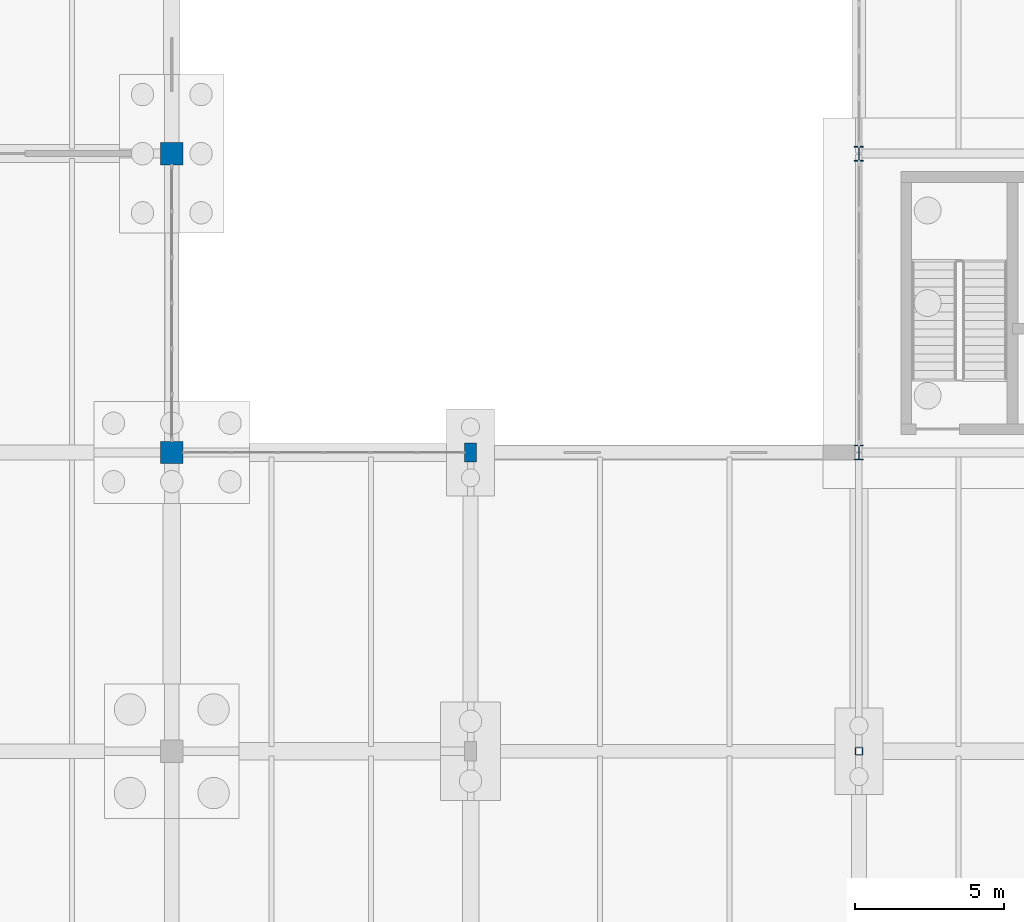
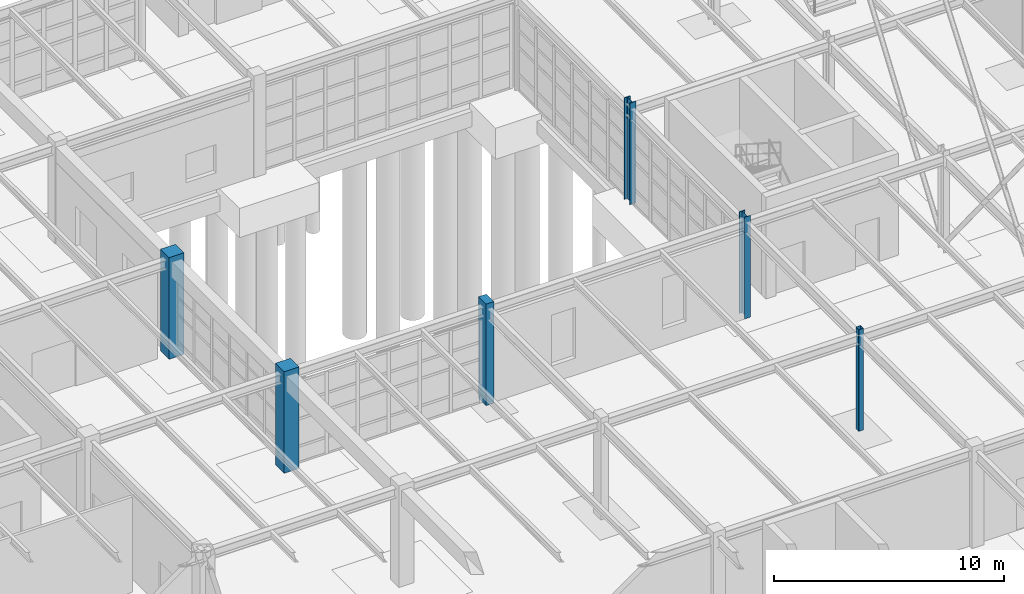
# One storey, part 13 of 145: 6 columns.
"""IFC4 building model written with IfcOpenShell, lengths in metres."""

import ifcopenshell
import ifcopenshell.guid

model = None  # the IFC model being written
_history = None  # IfcOwnerHistory: only IFC2X3 demands one
_inside = {}  # id of a spatial element -> (the spatial element, [elements in it])
_under = {}  # id of a project, library or spatial element -> (it, [spatial elements below it])
_declared = {}  # id of a project -> (the project, [libraries it declares])
_typed = {}  # id of a type object -> (the type object, [elements of that type])
_made_of = {}  # id of a material, layer set ... -> (it, [elements and type objects made of it])


def new_model(schema):
    """Start an empty IFC model of exactly this schema.

    Asked for "IFC4X3", IfcOpenShell would pick the latest addendum, in which some entities
    have other attributes; the version numbers below select the first issue.
    IFC2X3 requires an IfcOwnerHistory on every rooted entity: one is made here for all.
    """
    global model, _history
    if schema == "IFC4X3":
        model = ifcopenshell.file(schema_version=(4, 3, 0, 0))
    else:
        model = ifcopenshell.file(schema=schema)
    _inside.clear()
    _under.clear()
    _declared.clear()
    _typed.clear()
    _made_of.clear()
    _history = None
    if model.schema == "IFC2X3":
        org = make("IfcOrganization", Name="unknown")
        user = make(
            "IfcPersonAndOrganization",
            ThePerson=make("IfcPerson", FamilyName="unknown"),
            TheOrganization=org,
        )
        app = make(
            "IfcApplication",
            ApplicationDeveloper=org,
            Version="unknown",
            ApplicationFullName="unknown",
            ApplicationIdentifier="unknown",
        )
        _history = make(
            "IfcOwnerHistory",
            OwningUser=user,
            OwningApplication=app,
            ChangeAction="ADDED",
            CreationDate=0,
        )
    return model


def make(cls, **values):
    """One entity of the class cls with the attributes given. An attribute that is None is left unset."""
    return model.create_entity(
        cls, **{name: value for name, value in values.items() if value is not None}
    )


def rooted(cls, **values):
    """An entity with a GlobalId (a new one), such as an element, a storey or a relation."""
    return make(cls, GlobalId=ifcopenshell.guid.new(), OwnerHistory=_history, **values)


def si_unit(unit_type, name, prefix=None):
    """IfcSIUnit, for example si_unit("LENGTHUNIT", "METRE", prefix="MILLI")."""
    return make("IfcSIUnit", UnitType=unit_type, Prefix=prefix, Name=name)


def assignment(units):
    """IfcUnitAssignment: the units of a project."""
    return None if units is None else make("IfcUnitAssignment", Units=units)


def point(xyz):
    """IfcCartesianPoint."""
    return None if xyz is None else make("IfcCartesianPoint", Coordinates=xyz)


def direction(xyz):
    """IfcDirection."""
    return None if xyz is None else make("IfcDirection", DirectionRatios=xyz)


def frame(location, z_axis=None, x_axis=None):
    """IfcAxis2Placement3D, a coordinate frame: its origin and axes. An axis left out is left unset."""
    return make(
        "IfcAxis2Placement3D",
        Location=point(location),
        Axis=direction(z_axis),
        RefDirection=direction(x_axis),
    )


def frame_2d(location, x_axis=None):
    """IfcAxis2Placement2D, a coordinate frame in the plane: its origin and x axis."""
    return make(
        "IfcAxis2Placement2D", Location=point(location), RefDirection=direction(x_axis)
    )


def origin():
    """The frame at (0, 0, 0) with its axes left unset."""
    return frame((0.0, 0.0, 0.0))


def origin_2d():
    """The frame at (0, 0) in the plane with its x axis left unset."""
    return frame_2d((0.0, 0.0))


def place(relative_to, where):
    """IfcLocalPlacement: puts the frame where relative to a parent placement (None: the world)."""
    return make(
        "IfcLocalPlacement", PlacementRelTo=relative_to, RelativePlacement=where
    )


def context(
    kind, dimensions, precision=None, world=None, true_north=None, identifier=None
):
    """IfcGeometricRepresentationContext, for example the 3D "Model" context."""
    return make(
        "IfcGeometricRepresentationContext",
        ContextIdentifier=identifier,
        ContextType=kind,
        CoordinateSpaceDimension=dimensions,
        Precision=precision,
        WorldCoordinateSystem=world,
        TrueNorth=true_north,
    )


def subcontext(parent, identifier, kind, view, scale=None):
    """IfcGeometricRepresentationSubContext, for example "Body" below "Model"."""
    return make(
        "IfcGeometricRepresentationSubContext",
        ContextIdentifier=identifier,
        ContextType=kind,
        ParentContext=parent,
        TargetScale=scale,
        TargetView=view,
    )


def project(units=None, contexts=None):
    """IfcProject with its units and contexts."""
    return rooted(
        "IfcProject",
        Name="project",
        RepresentationContexts=contexts,
        UnitsInContext=assignment(units),
    )


def spatial(cls, under=None, at=None, **own):
    """A site, building, storey or space (cls), placed at a placement, below another one or the project."""
    s = rooted(cls, ObjectPlacement=at, **own)
    if under is not None:
        _under.setdefault(under.id(), (under, []))[1].append(s)
    return s


def profile(cls, at=None, kind="AREA", **sizes):
    """A parametric profile (cls). Its sizes go by their IFC names, for example OverallWidth=200.0."""
    return make(cls, ProfileType=kind, Position=at, **sizes)


def rectangle(**sizes):
    """IfcRectangleProfileDef."""
    return profile("IfcRectangleProfileDef", **sizes)


def hollow_rectangle(**sizes):
    """IfcRectangleHollowProfileDef."""
    return profile("IfcRectangleHollowProfileDef", **sizes)


def i_section(**sizes):
    """IfcIShapeProfileDef."""
    return profile("IfcIShapeProfileDef", **sizes)


def extrude(swept, where, along, depth):
    """IfcExtrudedAreaSolid: the profile swept, set in the frame where, extruded along a direction by depth."""
    return make(
        "IfcExtrudedAreaSolid",
        SweptArea=swept,
        Position=where,
        ExtrudedDirection=direction(along),
        Depth=depth,
    )


def shape(context_of_items, identifier, shape_type, items):
    """IfcShapeRepresentation: the items that make up one representation, for example the "Body"."""
    return make(
        "IfcShapeRepresentation",
        ContextOfItems=context_of_items,
        RepresentationIdentifier=identifier,
        RepresentationType=shape_type,
        Items=items,
    )


def material(Name=None, Category=None):
    """IfcMaterial."""
    return make("IfcMaterial", Name=Name, Category=Category)


def material_profile(
    of_material, cross_section, Name=None, Category=None, Priority=None
):
    """IfcMaterialProfile: a cross section and its material."""
    return make(
        "IfcMaterialProfile",
        Name=Name,
        Material=of_material,
        Profile=cross_section,
        Priority=Priority,
        Category=Category,
    )


def profile_set(profiles, Name=None, composite=None):
    """IfcMaterialProfileSet."""
    return make(
        "IfcMaterialProfileSet",
        Name=Name,
        MaterialProfiles=profiles,
        CompositeProfile=composite,
    )


def made_of(thing, what):
    """Note that an element or type object is made of a material, layer set ...; save() writes the relation."""
    if what is not None:
        _made_of.setdefault(what.id(), (what, []))[1].append(thing)
    return thing


def type_object(cls, material=None, **own):
    """A type object (cls), such as IfcWallType, which elements share."""
    return made_of(rooted(cls, **own), material)


def element(
    cls,
    number,
    at=None,
    inside=None,
    cuts=None,
    type_object=None,
    material=None,
    context=None,
    identifier="Body",
    shape_type=None,
    held_by="IfcProductDefinitionShape",
    body=None,
    shapes=None,
    **own,
):
    """One element of the class cls, such as IfcWall. Its Tag is "e" and its number.

    at: its placement. inside: the storey or other place that contains it. cuts: it is an
    opening in that element (IfcRelVoidsElement). A single representation is given by context,
    identifier, shape_type and body (its items); several are given by shapes. held_by: the class
    of the entity that holds the representations. save() writes the other relations.
    """
    e = rooted(cls, Tag="e%d" % number, ObjectPlacement=at, **own)
    if body is not None:
        shapes = [shape(context, identifier, shape_type, body)]
    if shapes is not None:
        e.Representation = make(held_by, Representations=shapes)
    if inside is not None:
        _inside.setdefault(inside.id(), (inside, []))[1].append(e)
    if cuts is not None:
        rooted(
            "IfcRelVoidsElement", RelatingBuildingElement=cuts, RelatedOpeningElement=e
        )
    if type_object is not None:
        _typed.setdefault(type_object.id(), (type_object, []))[1].append(e)
    return made_of(e, material)


def aggregate(whole, parts):
    """IfcRelAggregates: a whole, such as a stair, and the parts it consists of."""
    return rooted("IfcRelAggregates", RelatingObject=whole, RelatedObjects=parts)


def save(model, path):
    """Write the relations noted so far, then the file.

    IfcRelAggregates (storeys below a building ...), IfcRelContainedInSpatialStructure (elements
    in a storey), IfcRelDefinesByType, IfcRelAssociatesMaterial and IfcRelDeclares: one each for
    every whole, place, type object, material and project.
    """
    for whole, parts in _under.values():
        aggregate(whole, parts)
    for where, things in _inside.values():
        rooted(
            "IfcRelContainedInSpatialStructure",
            RelatedElements=things,
            RelatingStructure=where,
        )
    for kind, things in _typed.values():
        rooted("IfcRelDefinesByType", RelatedObjects=things, RelatingType=kind)
    for what, things in _made_of.values():
        rooted("IfcRelAssociatesMaterial", RelatedObjects=things, RelatingMaterial=what)
    for by, libraries in _declared.values():
        rooted("IfcRelDeclares", RelatingContext=by, RelatedDefinitions=libraries)
    model.write(path)


model = new_model("IFC4")

# Units and contexts
model_context = context("Model", 3, precision=1e-05, world=origin(), true_north=direction((0.0, 1.0)))
body_context = subcontext(model_context, "Body", "Model", "MODEL_VIEW")
ifc_project = project(units=[si_unit("LENGTHUNIT", "METRE"), si_unit("AREAUNIT", "SQUARE_METRE"), si_unit("VOLUMEUNIT", "CUBIC_METRE"), si_unit("PLANEANGLEUNIT", "RADIAN"), si_unit("MASSUNIT", "GRAM", prefix="KILO"), si_unit("THERMODYNAMICTEMPERATUREUNIT", "KELVIN"), si_unit("POWERUNIT", "WATT")], contexts=[model_context])

# Site, building, storey
site_placement = place(None, origin())
site = spatial("IfcSite", under=ifc_project, at=site_placement, CompositionType="ELEMENT")
building_placement = place(site_placement, origin())
building = spatial("IfcBuilding", under=site, at=building_placement, Name="Korenveer Ferry Terminal", CompositionType="ELEMENT")
storey_placement = place(building_placement, origin())
storey = spatial("IfcBuildingStorey", under=building, at=storey_placement, Name="L00", CompositionType="ELEMENT", Elevation=0.0)

# Columns
ifc_material_1 = material(Name="Steel S355", Category="steel")
ifc_material_profile_1 = material_profile(ifc_material_1, i_section(OverallWidth=0.300048828125, OverallDepth=0.5, WebThickness=0.014404296875, FlangeThickness=0.028076171875, FilletRadius=0.027099609375, at=origin_2d()), Name="HEB 500")
ifc_profile_set_1 = profile_set([ifc_material_profile_1], Name="Steel S355")
column_type_1 = type_object("IfcColumnType", Name="STR-COL-HEB500", PredefinedType="COLUMN", material=ifc_profile_set_1)
for number, where, z_axis, x_axis, name in (
    (1, (53.0, 50.0, 0.0), (0.0, 0.0, 1.0), (1.0, 0.0, 0.0), "Column COL-L00-X53-Y50"),
    (2, (53.0, 60.0, 0.0), (0.0, 0.0, 1.0), (1.0, 0.0, 0.0), "Column COL-L00-X53-Y60"),
):
    element("IfcColumn", number, at=place(storey_placement, frame(where, z_axis=z_axis, x_axis=x_axis)), inside=storey, type_object=column_type_1, Name=name, PredefinedType="COLUMN", context=body_context, shape_type="SweptSolid", body=[
        extrude(i_section(OverallWidth=0.300048828125, OverallDepth=0.5, WebThickness=0.014404296875, FlangeThickness=0.028076171875, FilletRadius=0.027099609375, at=origin_2d()), origin(), (0.0, 0.0, 1.0), 5.39990234375),
    ])
ifc_material_2 = material(Name="Concrete C45/55", Category="concrete")
ifc_material_profile_2 = material_profile(ifc_material_2, rectangle(XDim=0.39990234375, YDim=0.64990234375, at=origin_2d()), Name="RC 400x650")
ifc_profile_set_2 = profile_set([ifc_material_profile_2], Name="Concrete C45/55")
column_type_2 = type_object("IfcColumnType", Name="STR-COL-RC400X650", PredefinedType="COLUMN", material=ifc_profile_set_2)
column_1_placement = place(storey_placement, frame((40.0, 50.0, 0.0), z_axis=(0.0, 0.0, 1.0), x_axis=(1.0, 0.0, 0.0)))
element("IfcColumn", 3, at=column_1_placement, inside=storey, type_object=column_type_2, Name="Column COL-L00-X40-Y50", PredefinedType="COLUMN", context=body_context, shape_type="SweptSolid", body=[
    extrude(rectangle(XDim=0.39990234375, YDim=0.64990234375, at=origin_2d()), origin(), (0.0, 0.0, 1.0), 5.39990234375),
])
ifc_material_profile_3 = material_profile(ifc_material_2, rectangle(XDim=0.75, YDim=0.75, at=origin_2d()), Name="RC 750x750")
ifc_profile_set_3 = profile_set([ifc_material_profile_3], Name="Concrete C45/55")
column_type_3 = type_object("IfcColumnType", Name="STR-COL-RC750", PredefinedType="COLUMN", material=ifc_profile_set_3)
for number, where, z_axis, x_axis, name in (
    (4, (30.0, 50.0, 0.0), (0.0, 0.0, 1.0), (1.0, 0.0, 0.0), "Column COL-L00-X30-Y50"),
    (5, (30.0, 60.0, 0.0), (0.0, 0.0, 1.0), (1.0, 0.0, 0.0), "Column COL-L00-X30-Y60"),
):
    element("IfcColumn", number, at=place(storey_placement, frame(where, z_axis=z_axis, x_axis=x_axis)), inside=storey, type_object=column_type_3, Name=name, PredefinedType="COLUMN", context=body_context, shape_type="SweptSolid", body=[
        extrude(rectangle(XDim=0.75, YDim=0.75, at=origin_2d()), origin(), (0.0, 0.0, 1.0), 5.39990234375),
    ])
ifc_material_profile_4 = material_profile(ifc_material_1, hollow_rectangle(XDim=0.25, YDim=0.25, WallThickness=0.012451171875, InnerFilletRadius=0.012451171875, OuterFilletRadius=0.018798828125, at=origin_2d()), Name="SHS 250x250x12.5")
ifc_profile_set_4 = profile_set([ifc_material_profile_4], Name="Steel S355")
column_type_4 = type_object("IfcColumnType", Name="STR-COL-SHS250", PredefinedType="COLUMN", material=ifc_profile_set_4)
column_2_placement = place(storey_placement, frame((53.0, 40.0, 0.0), z_axis=(0.0, 0.0, 1.0), x_axis=(1.0, 0.0, 0.0)))
element("IfcColumn", 6, at=column_2_placement, inside=storey, type_object=column_type_4, Name="Column COL-L00-X53-Y40", PredefinedType="COLUMN", context=body_context, shape_type="SweptSolid", body=[
    extrude(hollow_rectangle(XDim=0.25, YDim=0.25, WallThickness=0.012451171875, InnerFilletRadius=0.012451171875, OuterFilletRadius=0.018798828125, at=origin_2d()), origin(), (0.0, 0.0, 1.0), 5.39990234375),
])

save(model, "model.ifc")
